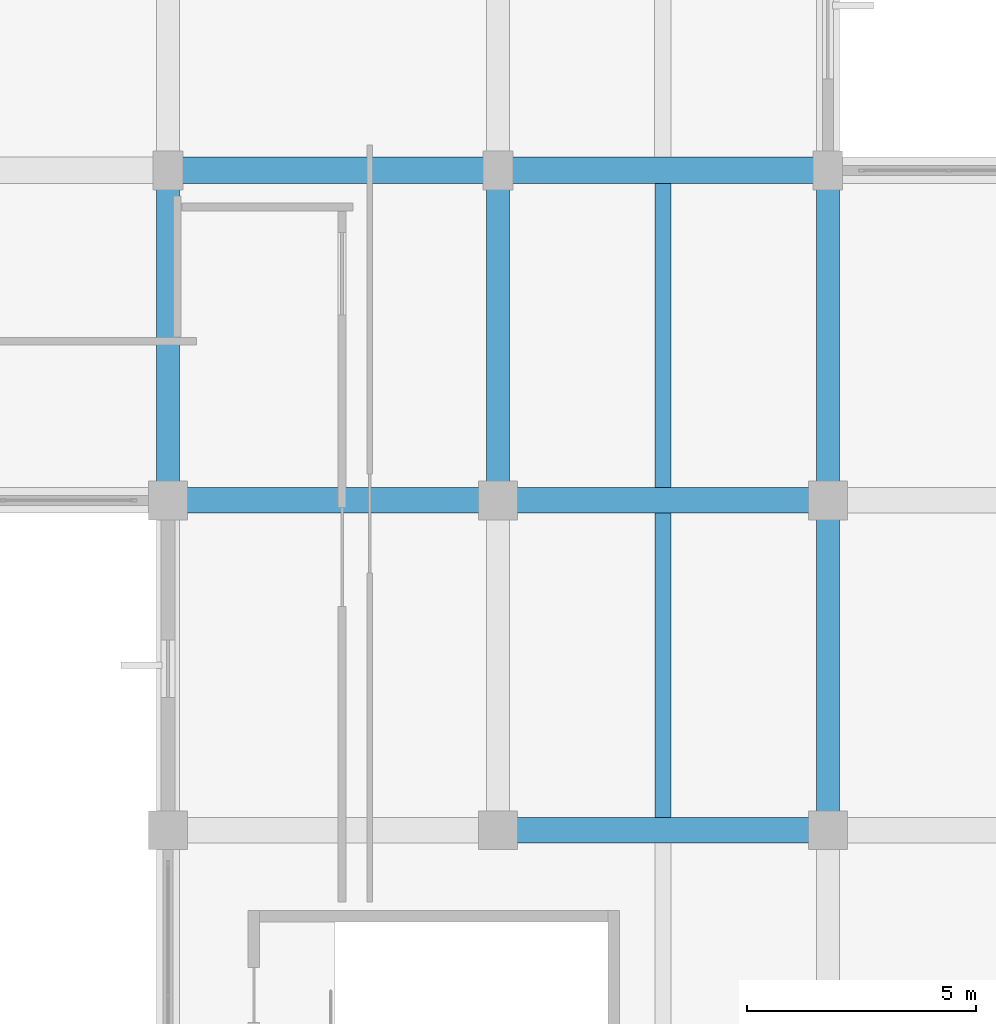
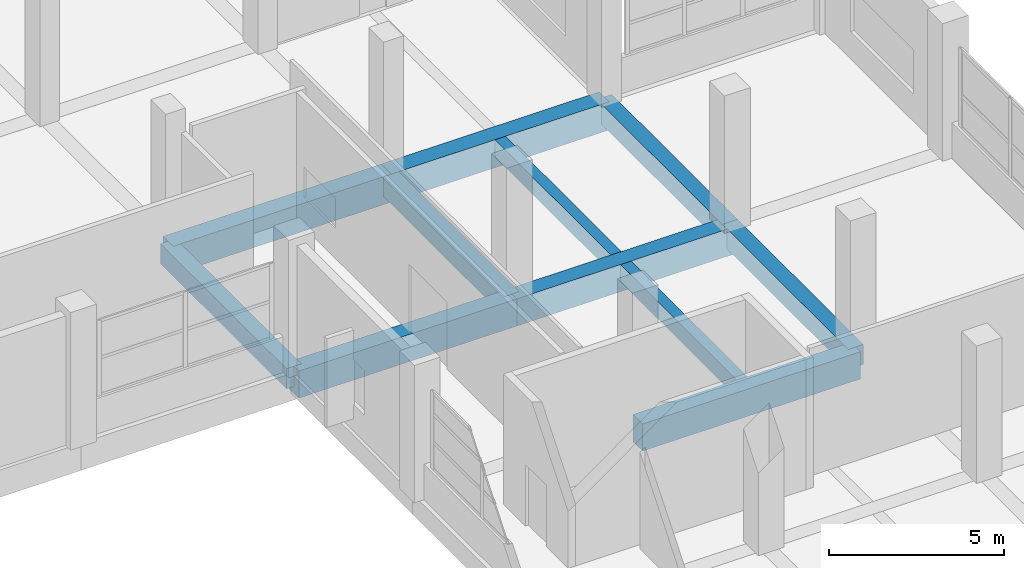
# One storey, part 130 of 181: 11 beams.
"""IFC4 building model written with IfcOpenShell, lengths in metres."""

from ifc_helpers import new_model, si_unit, direction, frame, origin, origin_2d, place, context, subcontext, project, spatial, rectangle, extrude, material, material_profile, profile_set, type_object, element, save


model = new_model("IFC4")

# Units and contexts
model_context = context("Model", 3, precision=1e-05, world=origin(), true_north=direction((0.0, 1.0)))
body_context = subcontext(model_context, "Body", "Model", "MODEL_VIEW")
ifc_project = project(units=[si_unit("LENGTHUNIT", "METRE"), si_unit("AREAUNIT", "SQUARE_METRE"), si_unit("VOLUMEUNIT", "CUBIC_METRE"), si_unit("PLANEANGLEUNIT", "RADIAN"), si_unit("MASSUNIT", "GRAM", prefix="KILO")], contexts=[model_context])

# Site, building, storey
site_placement = place(None, origin())
site = spatial("IfcSite", under=ifc_project, at=site_placement, CompositionType="ELEMENT")
building_placement = place(site_placement, origin())
building = spatial("IfcBuilding", under=site, at=building_placement, Name="Seraya Terrace Polytechnic", CompositionType="ELEMENT")
storey_placement = place(building_placement, frame((0.0, 0.0, 4.800048828125)))
storey = spatial("IfcBuildingStorey", under=building, at=storey_placement, Name="L01", CompositionType="ELEMENT", Elevation=4.800048828125)

# Beams
ifc_material = material(Name="Concrete C40/50", Category="concrete")
ifc_material_profile_1 = material_profile(ifc_material, rectangle(XDim=0.580078125, YDim=0.97998046875, at=origin_2d()), Name="RC 580x980")
ifc_profile_set_1 = profile_set([ifc_material_profile_1], Name="Concrete C40/50")
beam_type_1 = type_object("IfcBeamType", Name="BM-02", PredefinedType="BEAM", material=ifc_profile_set_1)
for number, where, z_axis, x_axis, name in (
    (1, (144.0, 79.199951171875, -0.489990234375), (1.0, 0.0, 0.0), (0.0, 1.0, 0.0), "Beam BM-02 L01 X (144.0..151.2, 79.2)"),
    (2, (151.199951171875, 79.199951171875, -0.489990234375), (1.0, 0.0, 0.0), (0.0, 1.0, 0.0), "Beam BM-02 L01 X (151.2..158.4, 79.2)"),
):
    element("IfcBeam", number, at=place(storey_placement, frame(where, z_axis=z_axis, x_axis=x_axis)), inside=storey, type_object=beam_type_1, Name=name, PredefinedType="BEAM", context=body_context, shape_type="SweptSolid", body=[
        extrude(rectangle(XDim=0.580078125, YDim=0.97998046875, at=origin_2d()), origin(), (0.0, 0.0, 1.0), 7.199951171875),
    ])
ifc_material_profile_2 = material_profile(ifc_material, rectangle(XDim=0.550048828125, YDim=0.949951171875, at=origin_2d()), Name="RC 550x950")
ifc_profile_set_2 = profile_set([ifc_material_profile_2], Name="Concrete C40/50")
beam_type_2 = type_object("IfcBeamType", Name="BM-03", PredefinedType="BEAM", material=ifc_profile_set_2)
for number, where, z_axis, x_axis, name in (
    (3, (151.199951171875, 64.800048828125, -0.47509765625), (1.0, 0.0, 0.0), (0.0, 1.0, 0.0), "Beam BM-03 L01 X (151.2..158.4, 64.8)"),
    (4, (144.0, 72.0, -0.47509765625), (1.0, 0.0, 0.0), (0.0, 1.0, 0.0), "Beam BM-03 L01 X (144.0..151.2, 72.0)"),
    (5, (151.199951171875, 72.0, -0.47509765625), (1.0, 0.0, 0.0), (0.0, 1.0, 0.0), "Beam BM-03 L01 X (151.2..158.4, 72.0)"),
):
    element("IfcBeam", number, at=place(storey_placement, frame(where, z_axis=z_axis, x_axis=x_axis)), inside=storey, type_object=beam_type_2, Name=name, PredefinedType="BEAM", context=body_context, shape_type="SweptSolid", body=[
        extrude(rectangle(XDim=0.550048828125, YDim=0.949951171875, at=origin_2d()), origin(), (0.0, 0.0, 1.0), 7.199951171875),
    ])
ifc_material_profile_3 = material_profile(ifc_material, rectangle(XDim=0.5, YDim=0.699951171875, at=origin_2d()), Name="RC 500x700")
ifc_profile_set_3 = profile_set([ifc_material_profile_3], Name="Concrete C40/50")
beam_type_3 = type_object("IfcBeamType", Name="BM-07", PredefinedType="BEAM", material=ifc_profile_set_3)
for number, where, z_axis, x_axis, name in (
    (6, (144.0, 72.0, -0.35009765625), (0.0, 1.0, 0.0), (-1.0, 0.0, 0.0), "Beam BM-07 L01 Y (144.0, 72.0..79.2)"),
    (7, (151.199951171875, 72.0, -0.35009765625), (0.0, 1.0, 0.0), (-1.0, 0.0, 0.0), "Beam BM-07 L01 Y (151.2, 72.0..79.2)"),
    (8, (158.39990234375, 64.800048828125, -0.35009765625), (0.0, 1.0, 0.0), (-1.0, 0.0, 0.0), "Beam BM-07 L01 Y (158.4, 64.8..72.0)"),
    (9, (158.39990234375, 72.0, -0.35009765625), (0.0, 1.0, 0.0), (-1.0, 0.0, 0.0), "Beam BM-07 L01 Y (158.4, 72.0..79.2)"),
):
    element("IfcBeam", number, at=place(storey_placement, frame(where, z_axis=z_axis, x_axis=x_axis)), inside=storey, type_object=beam_type_3, Name=name, PredefinedType="BEAM", context=body_context, shape_type="SweptSolid", body=[
        extrude(rectangle(XDim=0.5, YDim=0.699951171875, at=origin_2d()), origin(), (0.0, 0.0, 1.0), 7.199951171875),
    ])
ifc_material_profile_4 = material_profile(ifc_material, rectangle(XDim=0.35009765625, YDim=0.60009765625, at=origin_2d()), Name="RC 350x600")
ifc_profile_set_4 = profile_set([ifc_material_profile_4], Name="Concrete C40/50")
beam_type_4 = type_object("IfcBeamType", Name="JS-02", PredefinedType="JOIST", material=ifc_profile_set_4)
beam_1_placement = place(storey_placement, frame((154.800048828125, 65.074951171875, -0.300048828125), z_axis=(0.0, 1.0, 0.0), x_axis=(-1.0, 0.0, 0.0)))
element("IfcBeam", 10, at=beam_1_placement, inside=storey, type_object=beam_type_4, Name="Secondary joist JS-02 L01", PredefinedType="JOIST", context=body_context, shape_type="SweptSolid", body=[
    extrude(rectangle(XDim=0.35009765625, YDim=0.60009765625, at=origin_2d()), origin(), (0.0, 0.0, 1.0), 6.650146484375),
])
beam_2_placement = place(storey_placement, frame((154.800048828125, 72.27490234375, -0.300048828125), z_axis=(0.0, 1.0, 0.0), x_axis=(-1.0, 0.0, 0.0)))
element("IfcBeam", 11, at=beam_2_placement, inside=storey, type_object=beam_type_4, Name="Secondary joist JS-02 L01", PredefinedType="JOIST", context=body_context, shape_type="SweptSolid", body=[
    extrude(rectangle(XDim=0.35009765625, YDim=0.60009765625, at=origin_2d()), origin(), (0.0, 0.0, 1.0), 6.635009765625),
])

save(model, "model.ifc")
